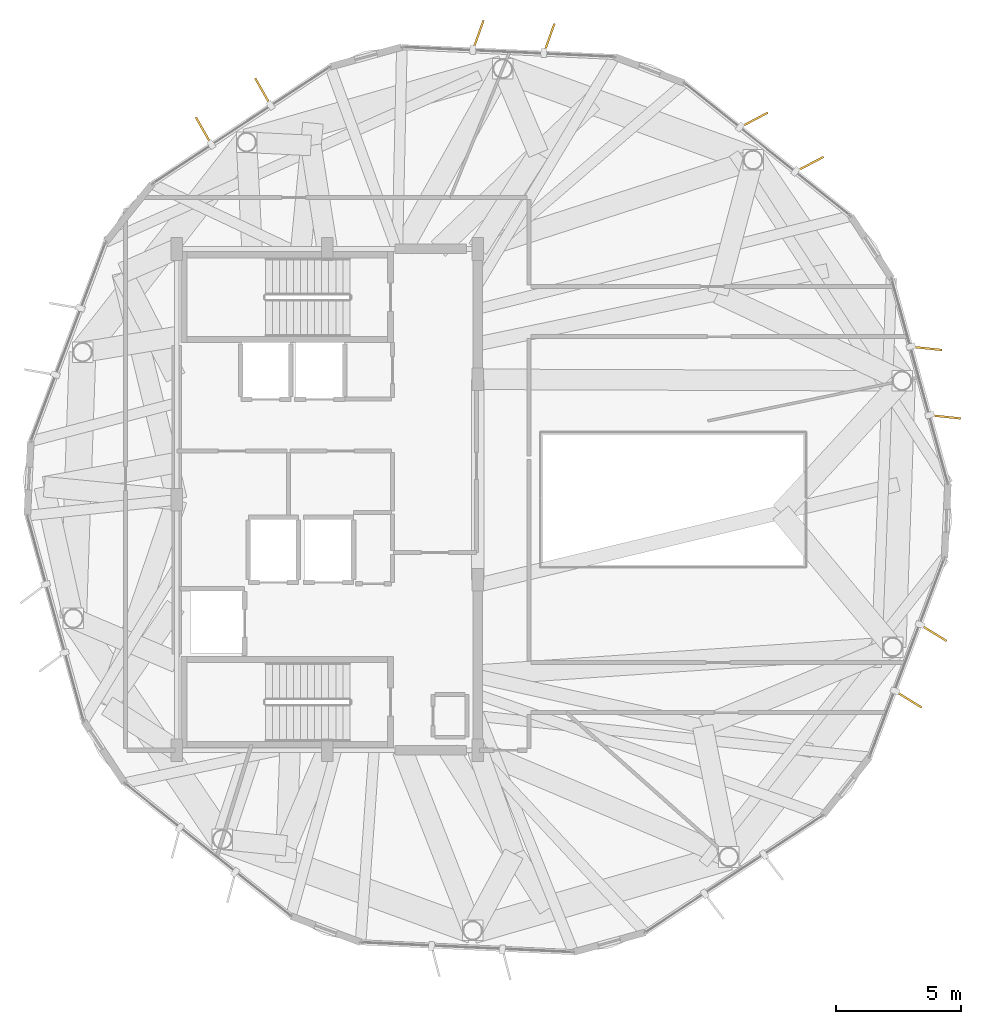
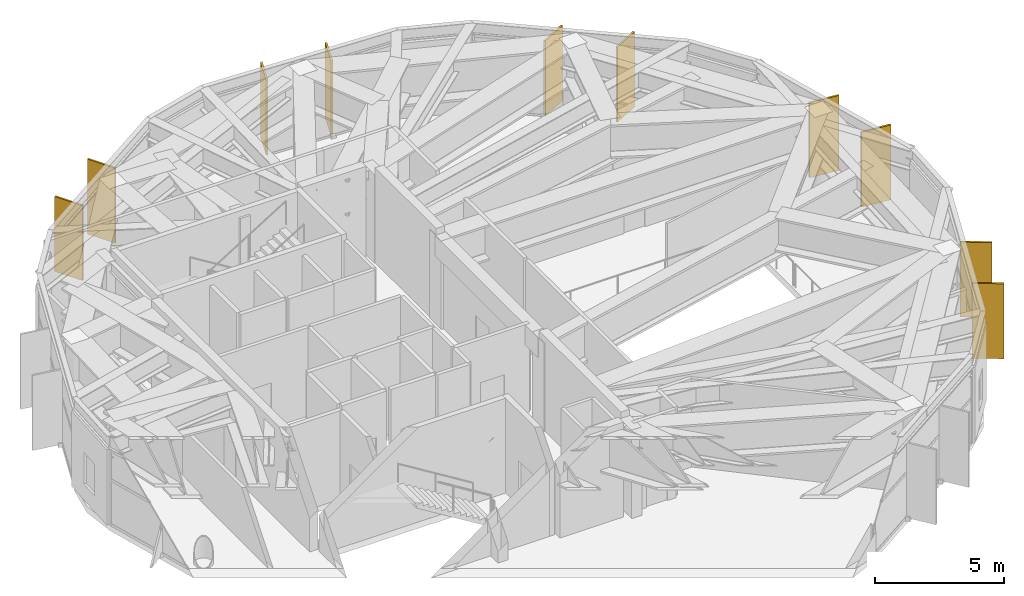
# One storey, part 27 of 27: 10 shading devices.
"""IFC4 building model written with IfcOpenShell, lengths in metres."""

import ifcopenshell
import ifcopenshell.guid

model = None  # the IFC model being written
_history = None  # IfcOwnerHistory: only IFC2X3 demands one
_inside = {}  # id of a spatial element -> (the spatial element, [elements in it])
_under = {}  # id of a project, library or spatial element -> (it, [spatial elements below it])
_declared = {}  # id of a project -> (the project, [libraries it declares])
_typed = {}  # id of a type object -> (the type object, [elements of that type])
_made_of = {}  # id of a material, layer set ... -> (it, [elements and type objects made of it])


def new_model(schema):
    """Start an empty IFC model of exactly this schema.

    Asked for "IFC4X3", IfcOpenShell would pick the latest addendum, in which some entities
    have other attributes; the version numbers below select the first issue.
    IFC2X3 requires an IfcOwnerHistory on every rooted entity: one is made here for all.
    """
    global model, _history
    if schema == "IFC4X3":
        model = ifcopenshell.file(schema_version=(4, 3, 0, 0))
    else:
        model = ifcopenshell.file(schema=schema)
    _inside.clear()
    _under.clear()
    _declared.clear()
    _typed.clear()
    _made_of.clear()
    _history = None
    if model.schema == "IFC2X3":
        org = make("IfcOrganization", Name="unknown")
        user = make(
            "IfcPersonAndOrganization",
            ThePerson=make("IfcPerson", FamilyName="unknown"),
            TheOrganization=org,
        )
        app = make(
            "IfcApplication",
            ApplicationDeveloper=org,
            Version="unknown",
            ApplicationFullName="unknown",
            ApplicationIdentifier="unknown",
        )
        _history = make(
            "IfcOwnerHistory",
            OwningUser=user,
            OwningApplication=app,
            ChangeAction="ADDED",
            CreationDate=0,
        )
    return model


def make(cls, **values):
    """One entity of the class cls with the attributes given. An attribute that is None is left unset."""
    return model.create_entity(
        cls, **{name: value for name, value in values.items() if value is not None}
    )


def rooted(cls, **values):
    """An entity with a GlobalId (a new one), such as an element, a storey or a relation."""
    return make(cls, GlobalId=ifcopenshell.guid.new(), OwnerHistory=_history, **values)


def si_unit(unit_type, name, prefix=None):
    """IfcSIUnit, for example si_unit("LENGTHUNIT", "METRE", prefix="MILLI")."""
    return make("IfcSIUnit", UnitType=unit_type, Prefix=prefix, Name=name)


def assignment(units):
    """IfcUnitAssignment: the units of a project."""
    return None if units is None else make("IfcUnitAssignment", Units=units)


def point(xyz):
    """IfcCartesianPoint."""
    return None if xyz is None else make("IfcCartesianPoint", Coordinates=xyz)


def direction(xyz):
    """IfcDirection."""
    return None if xyz is None else make("IfcDirection", DirectionRatios=xyz)


def frame(location, z_axis=None, x_axis=None):
    """IfcAxis2Placement3D, a coordinate frame: its origin and axes. An axis left out is left unset."""
    return make(
        "IfcAxis2Placement3D",
        Location=point(location),
        Axis=direction(z_axis),
        RefDirection=direction(x_axis),
    )


def frame_2d(location, x_axis=None):
    """IfcAxis2Placement2D, a coordinate frame in the plane: its origin and x axis."""
    return make(
        "IfcAxis2Placement2D", Location=point(location), RefDirection=direction(x_axis)
    )


def origin():
    """The frame at (0, 0, 0) with its axes left unset."""
    return frame((0.0, 0.0, 0.0))


def origin_2d():
    """The frame at (0, 0) in the plane with its x axis left unset."""
    return frame_2d((0.0, 0.0))


def place(relative_to, where):
    """IfcLocalPlacement: puts the frame where relative to a parent placement (None: the world)."""
    return make(
        "IfcLocalPlacement", PlacementRelTo=relative_to, RelativePlacement=where
    )


def context(
    kind, dimensions, precision=None, world=None, true_north=None, identifier=None
):
    """IfcGeometricRepresentationContext, for example the 3D "Model" context."""
    return make(
        "IfcGeometricRepresentationContext",
        ContextIdentifier=identifier,
        ContextType=kind,
        CoordinateSpaceDimension=dimensions,
        Precision=precision,
        WorldCoordinateSystem=world,
        TrueNorth=true_north,
    )


def subcontext(parent, identifier, kind, view, scale=None):
    """IfcGeometricRepresentationSubContext, for example "Body" below "Model"."""
    return make(
        "IfcGeometricRepresentationSubContext",
        ContextIdentifier=identifier,
        ContextType=kind,
        ParentContext=parent,
        TargetScale=scale,
        TargetView=view,
    )


def project(units=None, contexts=None):
    """IfcProject with its units and contexts."""
    return rooted(
        "IfcProject",
        Name="project",
        RepresentationContexts=contexts,
        UnitsInContext=assignment(units),
    )


def spatial(cls, under=None, at=None, **own):
    """A site, building, storey or space (cls), placed at a placement, below another one or the project."""
    s = rooted(cls, ObjectPlacement=at, **own)
    if under is not None:
        _under.setdefault(under.id(), (under, []))[1].append(s)
    return s


def profile(cls, at=None, kind="AREA", **sizes):
    """A parametric profile (cls). Its sizes go by their IFC names, for example OverallWidth=200.0."""
    return make(cls, ProfileType=kind, Position=at, **sizes)


def rectangle(**sizes):
    """IfcRectangleProfileDef."""
    return profile("IfcRectangleProfileDef", **sizes)


def extrude(swept, where, along, depth):
    """IfcExtrudedAreaSolid: the profile swept, set in the frame where, extruded along a direction by depth."""
    return make(
        "IfcExtrudedAreaSolid",
        SweptArea=swept,
        Position=where,
        ExtrudedDirection=direction(along),
        Depth=depth,
    )


def shape(context_of_items, identifier, shape_type, items):
    """IfcShapeRepresentation: the items that make up one representation, for example the "Body"."""
    return make(
        "IfcShapeRepresentation",
        ContextOfItems=context_of_items,
        RepresentationIdentifier=identifier,
        RepresentationType=shape_type,
        Items=items,
    )


def material(Name=None, Category=None):
    """IfcMaterial."""
    return make("IfcMaterial", Name=Name, Category=Category)


def layer(
    of_material, thickness, ventilated=None, Name=None, Category=None, Priority=None
):
    """IfcMaterialLayer: one layer of a wall or slab, of a material (None: an air gap)."""
    return make(
        "IfcMaterialLayer",
        Material=of_material,
        LayerThickness=thickness,
        IsVentilated=ventilated,
        Name=Name,
        Category=Category,
        Priority=Priority,
    )


def layer_set(layers, Name=None):
    """IfcMaterialLayerSet."""
    return make("IfcMaterialLayerSet", MaterialLayers=layers, LayerSetName=Name)


def made_of(thing, what):
    """Note that an element or type object is made of a material, layer set ...; save() writes the relation."""
    if what is not None:
        _made_of.setdefault(what.id(), (what, []))[1].append(thing)
    return thing


def type_object(cls, material=None, **own):
    """A type object (cls), such as IfcWallType, which elements share."""
    return made_of(rooted(cls, **own), material)


def element(
    cls,
    number,
    at=None,
    inside=None,
    cuts=None,
    type_object=None,
    material=None,
    context=None,
    identifier="Body",
    shape_type=None,
    held_by="IfcProductDefinitionShape",
    body=None,
    shapes=None,
    **own,
):
    """One element of the class cls, such as IfcWall. Its Tag is "e" and its number.

    at: its placement. inside: the storey or other place that contains it. cuts: it is an
    opening in that element (IfcRelVoidsElement). A single representation is given by context,
    identifier, shape_type and body (its items); several are given by shapes. held_by: the class
    of the entity that holds the representations. save() writes the other relations.
    """
    e = rooted(cls, Tag="e%d" % number, ObjectPlacement=at, **own)
    if body is not None:
        shapes = [shape(context, identifier, shape_type, body)]
    if shapes is not None:
        e.Representation = make(held_by, Representations=shapes)
    if inside is not None:
        _inside.setdefault(inside.id(), (inside, []))[1].append(e)
    if cuts is not None:
        rooted(
            "IfcRelVoidsElement", RelatingBuildingElement=cuts, RelatedOpeningElement=e
        )
    if type_object is not None:
        _typed.setdefault(type_object.id(), (type_object, []))[1].append(e)
    return made_of(e, material)


def aggregate(whole, parts):
    """IfcRelAggregates: a whole, such as a stair, and the parts it consists of."""
    return rooted("IfcRelAggregates", RelatingObject=whole, RelatedObjects=parts)


def save(model, path):
    """Write the relations noted so far, then the file.

    IfcRelAggregates (storeys below a building ...), IfcRelContainedInSpatialStructure (elements
    in a storey), IfcRelDefinesByType, IfcRelAssociatesMaterial and IfcRelDeclares: one each for
    every whole, place, type object, material and project.
    """
    for whole, parts in _under.values():
        aggregate(whole, parts)
    for where, things in _inside.values():
        rooted(
            "IfcRelContainedInSpatialStructure",
            RelatedElements=things,
            RelatingStructure=where,
        )
    for kind, things in _typed.values():
        rooted("IfcRelDefinesByType", RelatedObjects=things, RelatingType=kind)
    for what, things in _made_of.values():
        rooted("IfcRelAssociatesMaterial", RelatedObjects=things, RelatingMaterial=what)
    for by, libraries in _declared.values():
        rooted("IfcRelDeclares", RelatingContext=by, RelatedDefinitions=libraries)
    model.write(path)


model = new_model("IFC4")

# Units and contexts
model_context = context("Model", 3, precision=1e-05, world=origin(), true_north=direction((0.0, 1.0)))
body_context = subcontext(model_context, "Body", "Model", "MODEL_VIEW")
ifc_project = project(units=[si_unit("LENGTHUNIT", "METRE"), si_unit("AREAUNIT", "SQUARE_METRE"), si_unit("VOLUMEUNIT", "CUBIC_METRE"), si_unit("PLANEANGLEUNIT", "RADIAN"), si_unit("MASSUNIT", "GRAM", prefix="KILO")], contexts=[model_context])

# Site, building, storey
site_placement = place(None, origin())
site = spatial("IfcSite", under=ifc_project, at=site_placement, CompositionType="ELEMENT")
building_placement = place(site_placement, origin())
building = spatial("IfcBuilding", under=site, at=building_placement, Name="Soratama Intermodal Tower", CompositionType="ELEMENT")
storey_placement = place(building_placement, frame((0.0, 0.0, 288.550048828125)))
storey = spatial("IfcBuildingStorey", under=building, at=storey_placement, Name="L73", CompositionType="ELEMENT", Elevation=288.550048828125)

# Shading devices
ifc_material = material(Name="Champagne anodised aluminium solar fin", Category="aluminium")
ifc_layer = layer(ifc_material, 0.080078125)
ifc_layer_set = layer_set([ifc_layer], Name="Champagne anodised aluminium solar fin")
shading_device_type = type_object("IfcShadingDeviceType", Name="SH-FIN-1250", PredefinedType="USERDEFINED", material=ifc_layer_set)
for number, where, z_axis, x_axis, name in (
    (1, (47.455078125, 43.4033203125, 0.02001953125), (0.0, 0.0, 1.0), (0.335615984683, 0.941998891096, 0.0), "L73 Solar Fin F01-1"),
    (2, (44.625, 43.53369140625, 0.02001953125), (0.0, 0.0, 1.0), (0.335615984683, 0.941998891096, 0.0), "L73 Solar Fin F01-2"),
    (3, (36.032470703125, 41.273681640625, 0.02001953125), (0.0, 0.0, 1.0), (-0.494093614554, 0.869408707144, 0.0), "L73 Solar Fin F02-1"),
    (4, (33.666015625, 39.715576171875, 0.02001953125), (0.0, 0.0, 1.0), (-0.494093614554, 0.869408707144, 0.0), "L73 Solar Fin F02-2"),
    (5, (61.78271484375, 17.0341796875, 0.02001953125), (0.0, 0.0, 1.0), (0.852275183789, -0.523093692466, 0.0), "L73 Solar Fin F08-1"),
    (6, (62.78125, 19.685791015625, 0.02001953125), (0.0, 0.0, 1.0), (0.852275183789, -0.523093692466, 0.0), "L73 Solar Fin F08-2"),
    (7, (63.2578125, 28.302490234375, 0.02001953125), (0.0, 0.0, 1.0), (0.994485347462, -0.104875610524, 0.0), "L73 Solar Fin F09-1"),
    (8, (62.50732421875, 31.034423828125, 0.02001953125), (0.0, 0.0, 1.0), (0.994485347462, -0.104875610524, 0.0), "L73 Solar Fin F09-2"),
    (9, (57.842529296875, 38.380615234375, 0.02001953125), (0.0, 0.0, 1.0), (0.885717930931, 0.464223811138, 0.0), "L73 Solar Fin F10-1"),
    (10, (55.62939453125, 40.149658203125, 0.02001953125), (0.0, 0.0, 1.0), (0.885717930931, 0.464223811138, 0.0), "L73 Solar Fin F10-2"),
):
    element("IfcShadingDevice", number, at=place(storey_placement, frame(where, z_axis=z_axis, x_axis=x_axis)), inside=storey, type_object=shading_device_type, Name=name, ObjectType="FIN", PredefinedType="USERDEFINED", context=body_context, shape_type="SweptSolid", body=[
        extrude(rectangle(XDim=1.25, YDim=0.080078125, at=origin_2d()), origin(), (0.0, 0.0, 1.0), 3.553955078125),
    ])

save(model, "model.ifc")
